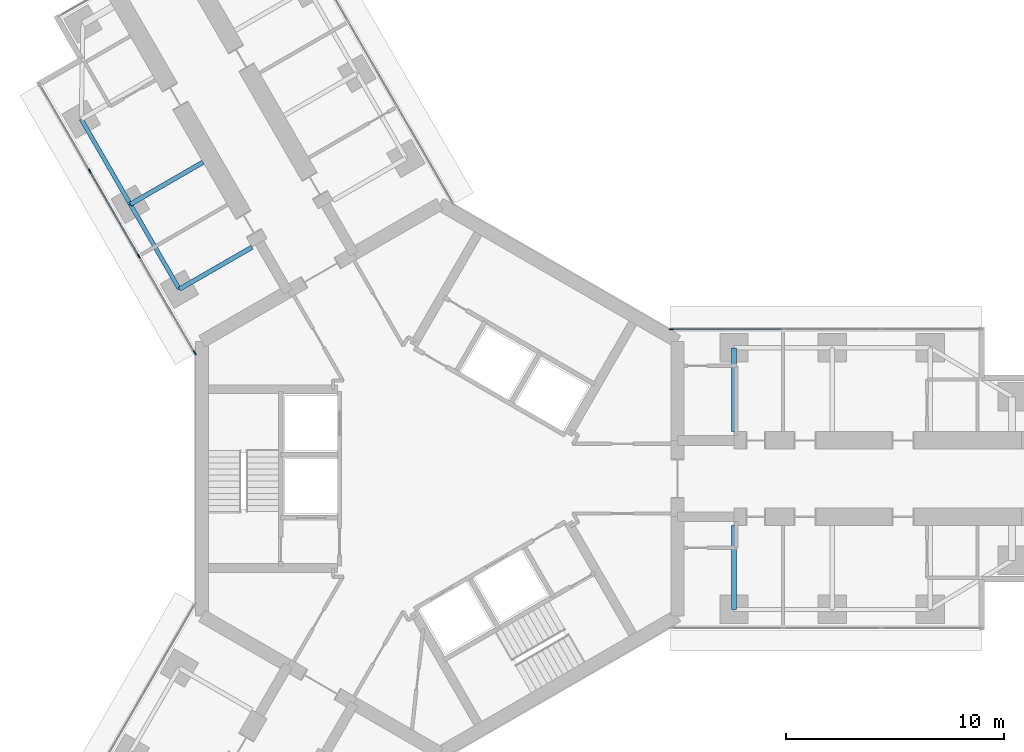
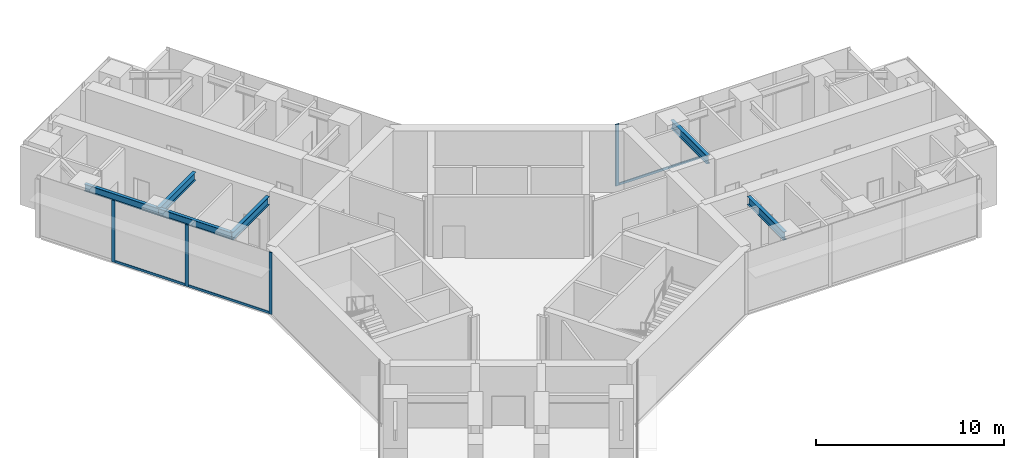
# One storey, part 5 of 22: 7 members, 6 beams, 2 elements without a shape of their own.
"""IFC4 building model written with IfcOpenShell, lengths in metres."""

import ifcopenshell
import ifcopenshell.guid

model = None  # the IFC model being written
_history = None  # IfcOwnerHistory: only IFC2X3 demands one
_inside = {}  # id of a spatial element -> (the spatial element, [elements in it])
_under = {}  # id of a project, library or spatial element -> (it, [spatial elements below it])
_declared = {}  # id of a project -> (the project, [libraries it declares])
_typed = {}  # id of a type object -> (the type object, [elements of that type])
_made_of = {}  # id of a material, layer set ... -> (it, [elements and type objects made of it])


def new_model(schema):
    """Start an empty IFC model of exactly this schema.

    Asked for "IFC4X3", IfcOpenShell would pick the latest addendum, in which some entities
    have other attributes; the version numbers below select the first issue.
    IFC2X3 requires an IfcOwnerHistory on every rooted entity: one is made here for all.
    """
    global model, _history
    if schema == "IFC4X3":
        model = ifcopenshell.file(schema_version=(4, 3, 0, 0))
    else:
        model = ifcopenshell.file(schema=schema)
    _inside.clear()
    _under.clear()
    _declared.clear()
    _typed.clear()
    _made_of.clear()
    _history = None
    if model.schema == "IFC2X3":
        org = make("IfcOrganization", Name="unknown")
        user = make(
            "IfcPersonAndOrganization",
            ThePerson=make("IfcPerson", FamilyName="unknown"),
            TheOrganization=org,
        )
        app = make(
            "IfcApplication",
            ApplicationDeveloper=org,
            Version="unknown",
            ApplicationFullName="unknown",
            ApplicationIdentifier="unknown",
        )
        _history = make(
            "IfcOwnerHistory",
            OwningUser=user,
            OwningApplication=app,
            ChangeAction="ADDED",
            CreationDate=0,
        )
    return model


def make(cls, **values):
    """One entity of the class cls with the attributes given. An attribute that is None is left unset."""
    return model.create_entity(
        cls, **{name: value for name, value in values.items() if value is not None}
    )


def rooted(cls, **values):
    """An entity with a GlobalId (a new one), such as an element, a storey or a relation."""
    return make(cls, GlobalId=ifcopenshell.guid.new(), OwnerHistory=_history, **values)


def si_unit(unit_type, name, prefix=None):
    """IfcSIUnit, for example si_unit("LENGTHUNIT", "METRE", prefix="MILLI")."""
    return make("IfcSIUnit", UnitType=unit_type, Prefix=prefix, Name=name)


def assignment(units):
    """IfcUnitAssignment: the units of a project."""
    return None if units is None else make("IfcUnitAssignment", Units=units)


def point(xyz):
    """IfcCartesianPoint."""
    return None if xyz is None else make("IfcCartesianPoint", Coordinates=xyz)


def direction(xyz):
    """IfcDirection."""
    return None if xyz is None else make("IfcDirection", DirectionRatios=xyz)


def frame(location, z_axis=None, x_axis=None):
    """IfcAxis2Placement3D, a coordinate frame: its origin and axes. An axis left out is left unset."""
    return make(
        "IfcAxis2Placement3D",
        Location=point(location),
        Axis=direction(z_axis),
        RefDirection=direction(x_axis),
    )


def frame_2d(location, x_axis=None):
    """IfcAxis2Placement2D, a coordinate frame in the plane: its origin and x axis."""
    return make(
        "IfcAxis2Placement2D", Location=point(location), RefDirection=direction(x_axis)
    )


def origin():
    """The frame at (0, 0, 0) with its axes left unset."""
    return frame((0.0, 0.0, 0.0))


def origin_2d():
    """The frame at (0, 0) in the plane with its x axis left unset."""
    return frame_2d((0.0, 0.0))


def place(relative_to, where):
    """IfcLocalPlacement: puts the frame where relative to a parent placement (None: the world)."""
    return make(
        "IfcLocalPlacement", PlacementRelTo=relative_to, RelativePlacement=where
    )


def context(
    kind, dimensions, precision=None, world=None, true_north=None, identifier=None
):
    """IfcGeometricRepresentationContext, for example the 3D "Model" context."""
    return make(
        "IfcGeometricRepresentationContext",
        ContextIdentifier=identifier,
        ContextType=kind,
        CoordinateSpaceDimension=dimensions,
        Precision=precision,
        WorldCoordinateSystem=world,
        TrueNorth=true_north,
    )


def subcontext(parent, identifier, kind, view, scale=None):
    """IfcGeometricRepresentationSubContext, for example "Body" below "Model"."""
    return make(
        "IfcGeometricRepresentationSubContext",
        ContextIdentifier=identifier,
        ContextType=kind,
        ParentContext=parent,
        TargetScale=scale,
        TargetView=view,
    )


def project(units=None, contexts=None):
    """IfcProject with its units and contexts."""
    return rooted(
        "IfcProject",
        Name="project",
        RepresentationContexts=contexts,
        UnitsInContext=assignment(units),
    )


def spatial(cls, under=None, at=None, **own):
    """A site, building, storey or space (cls), placed at a placement, below another one or the project."""
    s = rooted(cls, ObjectPlacement=at, **own)
    if under is not None:
        _under.setdefault(under.id(), (under, []))[1].append(s)
    return s


def profile(cls, at=None, kind="AREA", **sizes):
    """A parametric profile (cls). Its sizes go by their IFC names, for example OverallWidth=200.0."""
    return make(cls, ProfileType=kind, Position=at, **sizes)


def rectangle(**sizes):
    """IfcRectangleProfileDef."""
    return profile("IfcRectangleProfileDef", **sizes)


def i_section(**sizes):
    """IfcIShapeProfileDef."""
    return profile("IfcIShapeProfileDef", **sizes)


def extrude(swept, where, along, depth):
    """IfcExtrudedAreaSolid: the profile swept, set in the frame where, extruded along a direction by depth."""
    return make(
        "IfcExtrudedAreaSolid",
        SweptArea=swept,
        Position=where,
        ExtrudedDirection=direction(along),
        Depth=depth,
    )


def shape(context_of_items, identifier, shape_type, items):
    """IfcShapeRepresentation: the items that make up one representation, for example the "Body"."""
    return make(
        "IfcShapeRepresentation",
        ContextOfItems=context_of_items,
        RepresentationIdentifier=identifier,
        RepresentationType=shape_type,
        Items=items,
    )


def material(Name=None, Category=None):
    """IfcMaterial."""
    return make("IfcMaterial", Name=Name, Category=Category)


def material_profile(
    of_material, cross_section, Name=None, Category=None, Priority=None
):
    """IfcMaterialProfile: a cross section and its material."""
    return make(
        "IfcMaterialProfile",
        Name=Name,
        Material=of_material,
        Profile=cross_section,
        Priority=Priority,
        Category=Category,
    )


def profile_set(profiles, Name=None, composite=None):
    """IfcMaterialProfileSet."""
    return make(
        "IfcMaterialProfileSet",
        Name=Name,
        MaterialProfiles=profiles,
        CompositeProfile=composite,
    )


def made_of(thing, what):
    """Note that an element or type object is made of a material, layer set ...; save() writes the relation."""
    if what is not None:
        _made_of.setdefault(what.id(), (what, []))[1].append(thing)
    return thing


def type_object(cls, material=None, **own):
    """A type object (cls), such as IfcWallType, which elements share."""
    return made_of(rooted(cls, **own), material)


def element(
    cls,
    number,
    at=None,
    inside=None,
    cuts=None,
    type_object=None,
    material=None,
    context=None,
    identifier="Body",
    shape_type=None,
    held_by="IfcProductDefinitionShape",
    body=None,
    shapes=None,
    **own,
):
    """One element of the class cls, such as IfcWall. Its Tag is "e" and its number.

    at: its placement. inside: the storey or other place that contains it. cuts: it is an
    opening in that element (IfcRelVoidsElement). A single representation is given by context,
    identifier, shape_type and body (its items); several are given by shapes. held_by: the class
    of the entity that holds the representations. save() writes the other relations.
    """
    e = rooted(cls, Tag="e%d" % number, ObjectPlacement=at, **own)
    if body is not None:
        shapes = [shape(context, identifier, shape_type, body)]
    if shapes is not None:
        e.Representation = make(held_by, Representations=shapes)
    if inside is not None:
        _inside.setdefault(inside.id(), (inside, []))[1].append(e)
    if cuts is not None:
        rooted(
            "IfcRelVoidsElement", RelatingBuildingElement=cuts, RelatedOpeningElement=e
        )
    if type_object is not None:
        _typed.setdefault(type_object.id(), (type_object, []))[1].append(e)
    return made_of(e, material)


def aggregate(whole, parts):
    """IfcRelAggregates: a whole, such as a stair, and the parts it consists of."""
    return rooted("IfcRelAggregates", RelatingObject=whole, RelatedObjects=parts)


def save(model, path):
    """Write the relations noted so far, then the file.

    IfcRelAggregates (storeys below a building ...), IfcRelContainedInSpatialStructure (elements
    in a storey), IfcRelDefinesByType, IfcRelAssociatesMaterial and IfcRelDeclares: one each for
    every whole, place, type object, material and project.
    """
    for whole, parts in _under.values():
        aggregate(whole, parts)
    for where, things in _inside.values():
        rooted(
            "IfcRelContainedInSpatialStructure",
            RelatedElements=things,
            RelatingStructure=where,
        )
    for kind, things in _typed.values():
        rooted("IfcRelDefinesByType", RelatedObjects=things, RelatingType=kind)
    for what, things in _made_of.values():
        rooted("IfcRelAssociatesMaterial", RelatedObjects=things, RelatingMaterial=what)
    for by, libraries in _declared.values():
        rooted("IfcRelDeclares", RelatingContext=by, RelatedDefinitions=libraries)
    model.write(path)


model = new_model("IFC4")

# Units and contexts
model_context = context("Model", 3, precision=1e-05, world=origin(), true_north=direction((0.0, 1.0)))
body_context = subcontext(model_context, "Body", "Model", "MODEL_VIEW")
ifc_project = project(units=[si_unit("LENGTHUNIT", "METRE"), si_unit("AREAUNIT", "SQUARE_METRE"), si_unit("VOLUMEUNIT", "CUBIC_METRE"), si_unit("PLANEANGLEUNIT", "RADIAN"), si_unit("MASSUNIT", "GRAM", prefix="KILO")], contexts=[model_context])

# Site, building, storey
site_placement = place(None, origin())
site = spatial("IfcSite", under=ifc_project, at=site_placement, CompositionType="ELEMENT")
building_placement = place(site_placement, origin())
building = spatial("IfcBuilding", under=site, at=building_placement, Name="Upepo Twin Towers", CompositionType="ELEMENT")
storey_placement = place(building_placement, frame((0.0, 0.0, 129.5)))
storey = spatial("IfcBuildingStorey", under=building, at=storey_placement, Name="L31", CompositionType="ELEMENT", Elevation=129.5)

# Beams
ifc_material_1 = material(Name="Steel S355", Category="steel")
ifc_material_profile_1 = material_profile(ifc_material_1, i_section(OverallWidth=0.1904296875, OverallDepth=0.45703125, WebThickness=0.009033203125, FlangeThickness=0.014404296875, FilletRadius=0.01025390625, at=origin_2d()), Name="UB 457x191x74")
ifc_profile_set_1 = profile_set([ifc_material_profile_1], Name="Steel S355")
beam_type_1 = type_object("IfcBeamType", Name="Beam UB 457x191x74", PredefinedType="BEAM", material=ifc_profile_set_1)
beam_1_placement = place(storey_placement, frame((-11.946044921875, 8.69140625, 3.571533203125), z_axis=(-0.500013631625, 0.866017533419, 0.0), x_axis=(-0.866017533419, -0.500013631625, 0.0)))
element("IfcBeam", 1, at=beam_1_placement, inside=storey, type_object=beam_type_1, Name="T1 edge beam BL 13.5-18.0", PredefinedType="BEAM", context=body_context, shape_type="SweptSolid", body=[
    extrude(i_section(OverallWidth=0.1904296875, OverallDepth=0.45703125, WebThickness=0.009033203125, FlangeThickness=0.014404296875, FilletRadius=0.01025390625, at=origin_2d()), origin(), (0.0, 0.0, 1.0), 4.499755859375),
])
beam_2_placement = place(storey_placement, frame((-14.196044921875, 12.58837890625, 3.571533203125), z_axis=(-0.499990139034, 0.866031096941, 0.0), x_axis=(-0.866031096941, -0.499990139034, 0.0)))
element("IfcBeam", 2, at=beam_2_placement, inside=storey, type_object=beam_type_1, Name="T1 edge beam BL 18.0-22.5", PredefinedType="BEAM", context=body_context, shape_type="SweptSolid", body=[
    extrude(i_section(OverallWidth=0.1904296875, OverallDepth=0.45703125, WebThickness=0.009033203125, FlangeThickness=0.014404296875, FilletRadius=0.01025390625, at=origin_2d()), origin(), (0.0, 0.0, 1.0), 4.5),
])
ifc_material_2 = material(Name="Steel S355", Category="steel")
ifc_material_profile_2 = material_profile(ifc_material_2, i_section(OverallWidth=0.209228515625, OverallDepth=0.533203125, WebThickness=0.010009765625, FlangeThickness=0.015625, FilletRadius=0.0126953125, at=origin_2d()), Name="UB 533x210x92")
ifc_profile_set_2 = profile_set([ifc_material_profile_2], Name="Steel S355")
beam_type_2 = type_object("IfcBeamType", Name="Beam UB 533x210x92", PredefinedType="BEAM", material=ifc_profile_set_2)
for number, where, z_axis, x_axis, name in (
    (3, (13.5, 6.0, 3.533447265625), (0.0, -1.0, 0.0), (1.0, 0.0, 0.0), "T1 girder AL at 13.5"),
    (4, (13.5, -6.0, 3.533447265625), (0.0, 1.0, 0.0), (-1.0, 0.0, 0.0), "T1 girder AR at 13.5"),
):
    element("IfcBeam", number, at=place(storey_placement, frame(where, z_axis=z_axis, x_axis=x_axis)), inside=storey, type_object=beam_type_2, Name=name, PredefinedType="BEAM", context=body_context, shape_type="SweptSolid", body=[
        extrude(i_section(OverallWidth=0.209228515625, OverallDepth=0.533203125, WebThickness=0.010009765625, FlangeThickness=0.015625, FilletRadius=0.0126953125, at=origin_2d()), origin(), (0.0, 0.0, 1.0), 3.85009765625),
    ])
for number, where, z_axis, x_axis, name in (
    (5, (-11.946044921875, 8.69140625, 3.533447265625), (0.866006051527, 0.500033517596, 0.0), (-0.500033517596, 0.866006051527, 0.0), "T1 girder BL at 13.5"),
    (6, (-14.196044921875, 12.58837890625, 3.533447265625), (0.866006051527, 0.500033517596, 0.0), (-0.500033517596, 0.866006051527, 0.0), "T1 girder BL at 18.0"),
):
    element("IfcBeam", number, at=place(storey_placement, frame(where, z_axis=z_axis, x_axis=x_axis)), inside=storey, type_object=beam_type_2, Name=name, PredefinedType="BEAM", context=body_context, shape_type="SweptSolid", body=[
        extrude(i_section(OverallWidth=0.209228515625, OverallDepth=0.533203125, WebThickness=0.010009765625, FlangeThickness=0.015625, FilletRadius=0.0126953125, at=origin_2d()), origin(), (0.0, 0.0, 1.0), 3.849853515625),
    ])

# Curtain wall, member
ifc_material_3 = material(Name="Aluminium and fritted glass", Category="aluminium")
curtain_wall_type = type_object("IfcCurtainWallType", Name="Tower curtain wall TW2, fritted glass", PredefinedType="NOTDEFINED", material=ifc_material_3)
curtain_wall_1_placement = place(storey_placement, origin())
curtain_wall_1 = element("IfcCurtainWall", 7, at=curtain_wall_1_placement, inside=storey, type_object=curtain_wall_type, Name="T1 L31 wing A flank L curtain wall", PredefinedType="NOTDEFINED")
ifc_material_4 = material(Name="Aluminium mullion", Category="aluminium")
ifc_material_profile_3 = material_profile(ifc_material_4, rectangle(XDim=0.06494140625, YDim=0.199951171875, at=origin_2d()), Name="MULLION 65x200")
ifc_profile_set_3 = profile_set([ifc_material_profile_3], Name="Aluminium mullion")
member_type_1 = type_object("IfcMemberType", Name="Mullion 65x200 TW2", PredefinedType="MULLION", material=ifc_profile_set_3)
member_1_placement = place(storey_placement, frame((10.61962890625, 6.85009765625, 0.0), z_axis=(0.0, 0.0, 1.0), x_axis=(0.0, 1.0, 0.0)))
member_1 = element("IfcMember", 8, at=member_1_placement, type_object=member_type_1, Name="T1 L31 wing A flank L curtain wall mullion 1", PredefinedType="MULLION", context=body_context, shape_type="SweptSolid", body=[
    extrude(rectangle(XDim=0.06494140625, YDim=0.199951171875, at=origin_2d()), origin(), (0.0, 0.0, 1.0), 4.0),
])

# Curtain wall, members
curtain_wall_2_placement = place(storey_placement, origin())
curtain_wall_2 = element("IfcCurtainWall", 9, at=curtain_wall_2_placement, inside=storey, type_object=curtain_wall_type, Name="T1 L31 wing B flank L curtain wall", PredefinedType="NOTDEFINED")
member_2_placement = place(storey_placement, frame((-11.2421875, 5.77197265625, 0.0), z_axis=(0.0, 0.0, 1.0), x_axis=(-0.866025397833, -0.500000010308, 0.0)))
member_2 = element("IfcMember", 10, at=member_2_placement, type_object=member_type_1, Name="T1 L31 wing B flank L curtain wall mullion 1", PredefinedType="MULLION", context=body_context, shape_type="SweptSolid", body=[
    extrude(rectangle(XDim=0.06494140625, YDim=0.199951171875, at=origin_2d()), origin(), (0.0, 0.0, 1.0), 4.0),
])
member_3_placement = place(storey_placement, frame((-13.807373046875, 10.21484375, 0.0), z_axis=(0.0, 0.0, 1.0), x_axis=(-0.866025397833, -0.500000010308, 0.0)))
member_3 = element("IfcMember", 11, at=member_3_placement, type_object=member_type_1, Name="T1 L31 wing B flank L curtain wall mullion 2", PredefinedType="MULLION", context=body_context, shape_type="SweptSolid", body=[
    extrude(rectangle(XDim=0.06494140625, YDim=0.199951171875, at=origin_2d()), origin(), (0.0, 0.0, 1.0), 4.0),
])
member_4_placement = place(storey_placement, frame((-16.057373046875, 14.112060546875, 0.0), z_axis=(0.0, 0.0, 1.0), x_axis=(-0.866025397833, -0.500000010308, 0.0)))
member_4 = element("IfcMember", 12, at=member_4_placement, type_object=member_type_1, Name="T1 L31 wing B flank L curtain wall mullion 3", PredefinedType="MULLION", context=body_context, shape_type="SweptSolid", body=[
    extrude(rectangle(XDim=0.06494140625, YDim=0.199951171875, at=origin_2d()), origin(), (0.0, 0.0, 1.0), 4.0),
])

# Member
ifc_material_5 = material(Name="Aluminium transom", Category="aluminium")
ifc_material_profile_4 = material_profile(ifc_material_5, rectangle(XDim=0.06494140625, YDim=0.14990234375, at=origin_2d()), Name="TRANSOM 65x150")
ifc_profile_set_4 = profile_set([ifc_material_profile_4], Name="Aluminium transom")
member_type_2 = type_object("IfcMemberType", Name="Transom 65x150 TW2", PredefinedType="USERDEFINED", material=ifc_profile_set_4)
member_5_placement = place(storey_placement, frame((10.652099609375, 6.85009765625, 0.074951171875), z_axis=(1.0, 0.0, 0.0), x_axis=(0.0, 1.0, 0.0)))
member_5 = element("IfcMember", 13, at=member_5_placement, type_object=member_type_2, Name="T1 L31 wing A flank L curtain wall transom 1", ObjectType="TRANSOM", PredefinedType="USERDEFINED", context=body_context, shape_type="SweptSolid", body=[
    extrude(rectangle(XDim=0.06494140625, YDim=0.14990234375, at=origin_2d()), origin(), (0.0, 0.0, 1.0), 5.0654296875),
])

aggregate(curtain_wall_1, [member_1, member_5])

member_6_placement = place(storey_placement, frame((-11.25830078125, 5.800048828125, 0.074951171875), z_axis=(-0.500006158363, 0.866021848223, 0.0), x_axis=(-0.866021848223, -0.500006158363, 0.0)))
member_6 = element("IfcMember", 14, at=member_6_placement, type_object=member_type_2, Name="T1 L31 wing B flank L curtain wall transom 1", ObjectType="TRANSOM", PredefinedType="USERDEFINED", context=body_context, shape_type="SweptSolid", body=[
    extrude(rectangle(XDim=0.06494140625, YDim=0.14990234375, at=origin_2d()), origin(), (0.0, 0.0, 1.0), 5.0654296875),
])

member_7_placement = place(storey_placement, frame((-13.823486328125, 10.2431640625, 0.074951171875), z_axis=(-0.500005184116, 0.866022410713, 0.0), x_axis=(-0.866022410713, -0.500005184116, 0.0)))
member_7 = element("IfcMember", 15, at=member_7_placement, type_object=member_type_2, Name="T1 L31 wing B flank L curtain wall transom 2", ObjectType="TRANSOM", PredefinedType="USERDEFINED", context=body_context, shape_type="SweptSolid", body=[
    extrude(rectangle(XDim=0.06494140625, YDim=0.14990234375, at=origin_2d()), origin(), (0.0, 0.0, 1.0), 4.43505859375),
])

aggregate(curtain_wall_2, [member_2, member_3, member_4, member_6, member_7])

save(model, "model.ifc")
